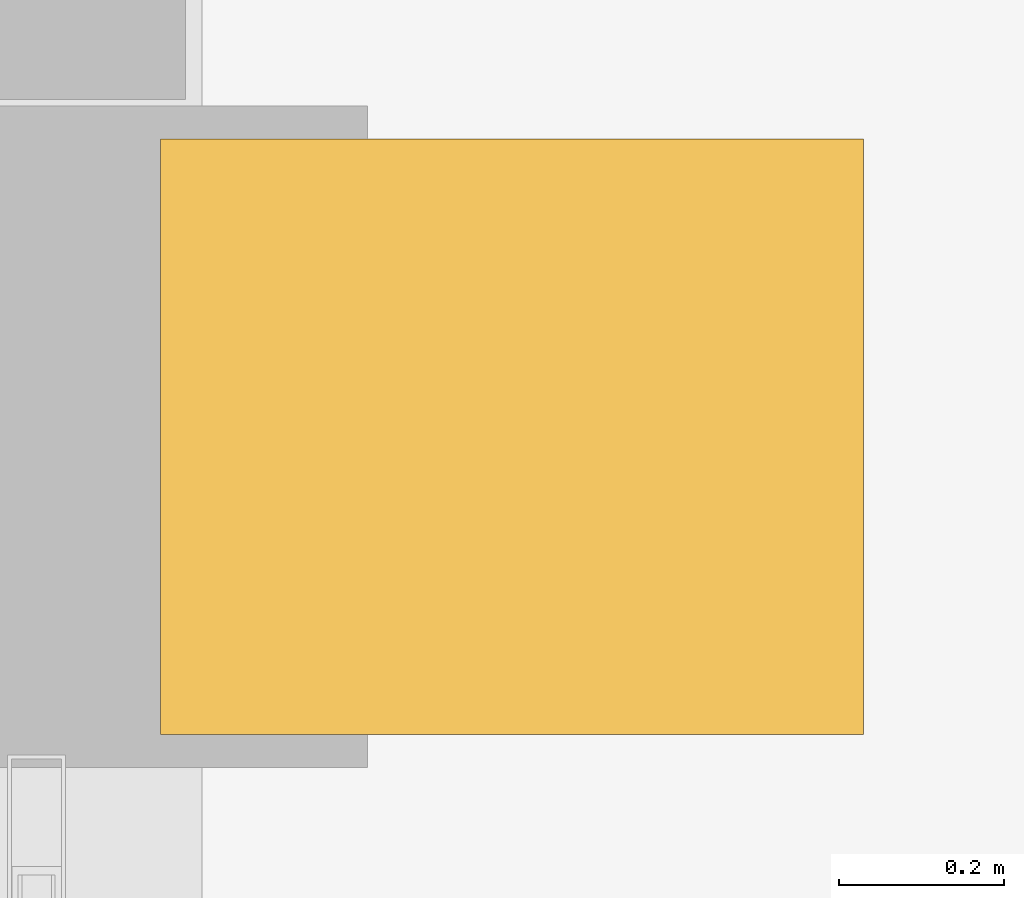
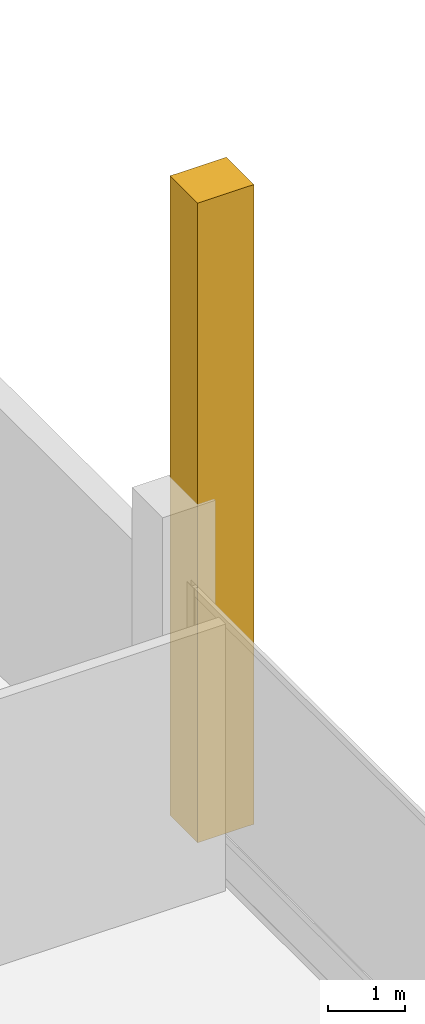
# One storey, part 186 of 192: 1 covering.
"""IFC4 building model written with IfcOpenShell, lengths in metres."""

import ifcopenshell
import ifcopenshell.guid

model = None  # the IFC model being written
_history = None  # IfcOwnerHistory: only IFC2X3 demands one
_inside = {}  # id of a spatial element -> (the spatial element, [elements in it])
_under = {}  # id of a project, library or spatial element -> (it, [spatial elements below it])
_declared = {}  # id of a project -> (the project, [libraries it declares])
_typed = {}  # id of a type object -> (the type object, [elements of that type])
_made_of = {}  # id of a material, layer set ... -> (it, [elements and type objects made of it])


def new_model(schema):
    """Start an empty IFC model of exactly this schema.

    Asked for "IFC4X3", IfcOpenShell would pick the latest addendum, in which some entities
    have other attributes; the version numbers below select the first issue.
    IFC2X3 requires an IfcOwnerHistory on every rooted entity: one is made here for all.
    """
    global model, _history
    if schema == "IFC4X3":
        model = ifcopenshell.file(schema_version=(4, 3, 0, 0))
    else:
        model = ifcopenshell.file(schema=schema)
    _inside.clear()
    _under.clear()
    _declared.clear()
    _typed.clear()
    _made_of.clear()
    _history = None
    if model.schema == "IFC2X3":
        org = make("IfcOrganization", Name="unknown")
        user = make(
            "IfcPersonAndOrganization",
            ThePerson=make("IfcPerson", FamilyName="unknown"),
            TheOrganization=org,
        )
        app = make(
            "IfcApplication",
            ApplicationDeveloper=org,
            Version="unknown",
            ApplicationFullName="unknown",
            ApplicationIdentifier="unknown",
        )
        _history = make(
            "IfcOwnerHistory",
            OwningUser=user,
            OwningApplication=app,
            ChangeAction="ADDED",
            CreationDate=0,
        )
    return model


def make(cls, **values):
    """One entity of the class cls with the attributes given. An attribute that is None is left unset."""
    return model.create_entity(
        cls, **{name: value for name, value in values.items() if value is not None}
    )


def rooted(cls, **values):
    """An entity with a GlobalId (a new one), such as an element, a storey or a relation."""
    return make(cls, GlobalId=ifcopenshell.guid.new(), OwnerHistory=_history, **values)


def si_unit(unit_type, name, prefix=None):
    """IfcSIUnit, for example si_unit("LENGTHUNIT", "METRE", prefix="MILLI")."""
    return make("IfcSIUnit", UnitType=unit_type, Prefix=prefix, Name=name)


def assignment(units):
    """IfcUnitAssignment: the units of a project."""
    return None if units is None else make("IfcUnitAssignment", Units=units)


def point(xyz):
    """IfcCartesianPoint."""
    return None if xyz is None else make("IfcCartesianPoint", Coordinates=xyz)


def direction(xyz):
    """IfcDirection."""
    return None if xyz is None else make("IfcDirection", DirectionRatios=xyz)


def frame(location, z_axis=None, x_axis=None):
    """IfcAxis2Placement3D, a coordinate frame: its origin and axes. An axis left out is left unset."""
    return make(
        "IfcAxis2Placement3D",
        Location=point(location),
        Axis=direction(z_axis),
        RefDirection=direction(x_axis),
    )


def origin():
    """The frame at (0, 0, 0) with its axes left unset."""
    return frame((0.0, 0.0, 0.0))


def place(relative_to, where):
    """IfcLocalPlacement: puts the frame where relative to a parent placement (None: the world)."""
    return make(
        "IfcLocalPlacement", PlacementRelTo=relative_to, RelativePlacement=where
    )


def context(
    kind, dimensions, precision=None, world=None, true_north=None, identifier=None
):
    """IfcGeometricRepresentationContext, for example the 3D "Model" context."""
    return make(
        "IfcGeometricRepresentationContext",
        ContextIdentifier=identifier,
        ContextType=kind,
        CoordinateSpaceDimension=dimensions,
        Precision=precision,
        WorldCoordinateSystem=world,
        TrueNorth=true_north,
    )


def subcontext(parent, identifier, kind, view, scale=None):
    """IfcGeometricRepresentationSubContext, for example "Body" below "Model"."""
    return make(
        "IfcGeometricRepresentationSubContext",
        ContextIdentifier=identifier,
        ContextType=kind,
        ParentContext=parent,
        TargetScale=scale,
        TargetView=view,
    )


def project(units=None, contexts=None):
    """IfcProject with its units and contexts."""
    return rooted(
        "IfcProject",
        Name="project",
        RepresentationContexts=contexts,
        UnitsInContext=assignment(units),
    )


def spatial(cls, under=None, at=None, **own):
    """A site, building, storey or space (cls), placed at a placement, below another one or the project."""
    s = rooted(cls, ObjectPlacement=at, **own)
    if under is not None:
        _under.setdefault(under.id(), (under, []))[1].append(s)
    return s


def polyline(points):
    """IfcPolyline through the points."""
    return make("IfcPolyline", Points=[point(p) for p in points])


def outline(outer, holes=None, kind="AREA"):
    """IfcArbitraryClosedProfileDef: a profile drawn as a closed curve; with holes, ...WithVoids."""
    if holes is None:
        return make("IfcArbitraryClosedProfileDef", ProfileType=kind, OuterCurve=outer)
    return make(
        "IfcArbitraryProfileDefWithVoids",
        ProfileType=kind,
        OuterCurve=outer,
        InnerCurves=holes,
    )


def extrude(swept, where, along, depth):
    """IfcExtrudedAreaSolid: the profile swept, set in the frame where, extruded along a direction by depth."""
    return make(
        "IfcExtrudedAreaSolid",
        SweptArea=swept,
        Position=where,
        ExtrudedDirection=direction(along),
        Depth=depth,
    )


def shape(context_of_items, identifier, shape_type, items):
    """IfcShapeRepresentation: the items that make up one representation, for example the "Body"."""
    return make(
        "IfcShapeRepresentation",
        ContextOfItems=context_of_items,
        RepresentationIdentifier=identifier,
        RepresentationType=shape_type,
        Items=items,
    )


def material(Name=None, Category=None):
    """IfcMaterial."""
    return make("IfcMaterial", Name=Name, Category=Category)


def layer(
    of_material, thickness, ventilated=None, Name=None, Category=None, Priority=None
):
    """IfcMaterialLayer: one layer of a wall or slab, of a material (None: an air gap)."""
    return make(
        "IfcMaterialLayer",
        Material=of_material,
        LayerThickness=thickness,
        IsVentilated=ventilated,
        Name=Name,
        Category=Category,
        Priority=Priority,
    )


def layer_set(layers, Name=None):
    """IfcMaterialLayerSet."""
    return make("IfcMaterialLayerSet", MaterialLayers=layers, LayerSetName=Name)


def made_of(thing, what):
    """Note that an element or type object is made of a material, layer set ...; save() writes the relation."""
    if what is not None:
        _made_of.setdefault(what.id(), (what, []))[1].append(thing)
    return thing


def type_object(cls, material=None, **own):
    """A type object (cls), such as IfcWallType, which elements share."""
    return made_of(rooted(cls, **own), material)


def element(
    cls,
    number,
    at=None,
    inside=None,
    cuts=None,
    type_object=None,
    material=None,
    context=None,
    identifier="Body",
    shape_type=None,
    held_by="IfcProductDefinitionShape",
    body=None,
    shapes=None,
    **own,
):
    """One element of the class cls, such as IfcWall. Its Tag is "e" and its number.

    at: its placement. inside: the storey or other place that contains it. cuts: it is an
    opening in that element (IfcRelVoidsElement). A single representation is given by context,
    identifier, shape_type and body (its items); several are given by shapes. held_by: the class
    of the entity that holds the representations. save() writes the other relations.
    """
    e = rooted(cls, Tag="e%d" % number, ObjectPlacement=at, **own)
    if body is not None:
        shapes = [shape(context, identifier, shape_type, body)]
    if shapes is not None:
        e.Representation = make(held_by, Representations=shapes)
    if inside is not None:
        _inside.setdefault(inside.id(), (inside, []))[1].append(e)
    if cuts is not None:
        rooted(
            "IfcRelVoidsElement", RelatingBuildingElement=cuts, RelatedOpeningElement=e
        )
    if type_object is not None:
        _typed.setdefault(type_object.id(), (type_object, []))[1].append(e)
    return made_of(e, material)


def aggregate(whole, parts):
    """IfcRelAggregates: a whole, such as a stair, and the parts it consists of."""
    return rooted("IfcRelAggregates", RelatingObject=whole, RelatedObjects=parts)


def save(model, path):
    """Write the relations noted so far, then the file.

    IfcRelAggregates (storeys below a building ...), IfcRelContainedInSpatialStructure (elements
    in a storey), IfcRelDefinesByType, IfcRelAssociatesMaterial and IfcRelDeclares: one each for
    every whole, place, type object, material and project.
    """
    for whole, parts in _under.values():
        aggregate(whole, parts)
    for where, things in _inside.values():
        rooted(
            "IfcRelContainedInSpatialStructure",
            RelatedElements=things,
            RelatingStructure=where,
        )
    for kind, things in _typed.values():
        rooted("IfcRelDefinesByType", RelatedObjects=things, RelatingType=kind)
    for what, things in _made_of.values():
        rooted("IfcRelAssociatesMaterial", RelatedObjects=things, RelatingMaterial=what)
    for by, libraries in _declared.values():
        rooted("IfcRelDeclares", RelatingContext=by, RelatedDefinitions=libraries)
    model.write(path)


model = new_model("IFC4")

# Units and contexts
model_context = context("Model", 3, precision=1e-05, world=origin(), true_north=direction((0.0, 1.0)))
body_context = subcontext(model_context, "Body", "Model", "MODEL_VIEW")
ifc_project = project(units=[si_unit("LENGTHUNIT", "METRE"), si_unit("AREAUNIT", "SQUARE_METRE"), si_unit("VOLUMEUNIT", "CUBIC_METRE"), si_unit("PLANEANGLEUNIT", "RADIAN"), si_unit("MASSUNIT", "GRAM", prefix="KILO")], contexts=[model_context])

# Site, building, storey
site_placement = place(None, origin())
site = spatial("IfcSite", under=ifc_project, at=site_placement, CompositionType="ELEMENT")
building_placement = place(site_placement, origin())
building = spatial("IfcBuilding", under=site, at=building_placement, Name="Cendralis Lancet Convention Centre", CompositionType="ELEMENT")
storey_placement = place(building_placement, origin())
storey = spatial("IfcBuildingStorey", under=building, at=storey_placement, Name="L00", CompositionType="ELEMENT", Elevation=0.0)

# Covering
ifc_material = material(Name="Warm buff sandstone chevron cassette", Category="masonry")
ifc_layer = layer(ifc_material, 0.06005859375, Name="Warm buff sandstone chevron cassette")
ifc_layer_set = layer_set([ifc_layer], Name="Warm buff sandstone chevron cassette")
covering_type = type_object("IfcCoveringType", Name="ARC-CV-CLAD1", PredefinedType="CLADDING", material=ifc_layer_set)
covering_placement = place(storey_placement, origin())
element("IfcCovering", 1, at=covering_placement, inside=storey, type_object=covering_type, Name="Gothic Stepped Stone Buttress Base #0066", PredefinedType="CLADDING", context=body_context, shape_type="SweptSolid", body=[
    extrude(outline(polyline([(209.800048828125, 122.0400390625), (209.800048828125, 122.760009765625), (208.949951171875, 122.760009765625), (208.949951171875, 122.0400390625), (209.800048828125, 122.0400390625)])), origin(), (0.0, 0.0, 1.0), 10.199951171875),
])

save(model, "model.ifc")
